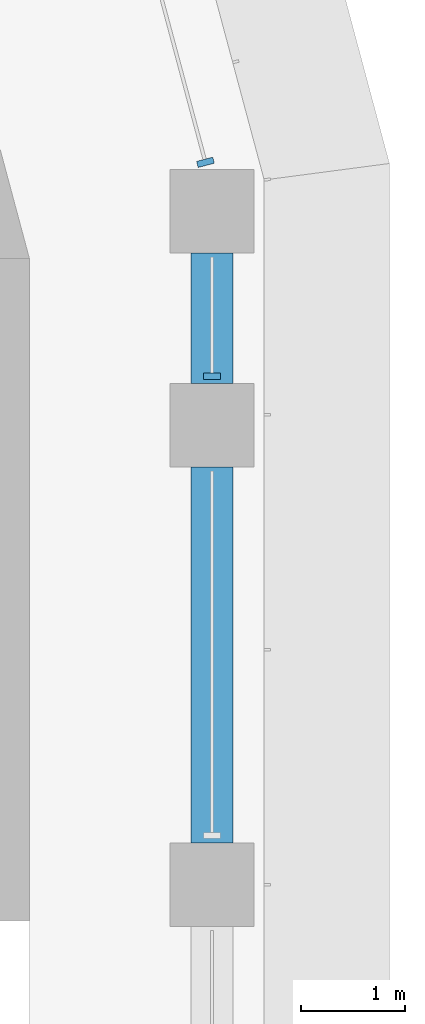
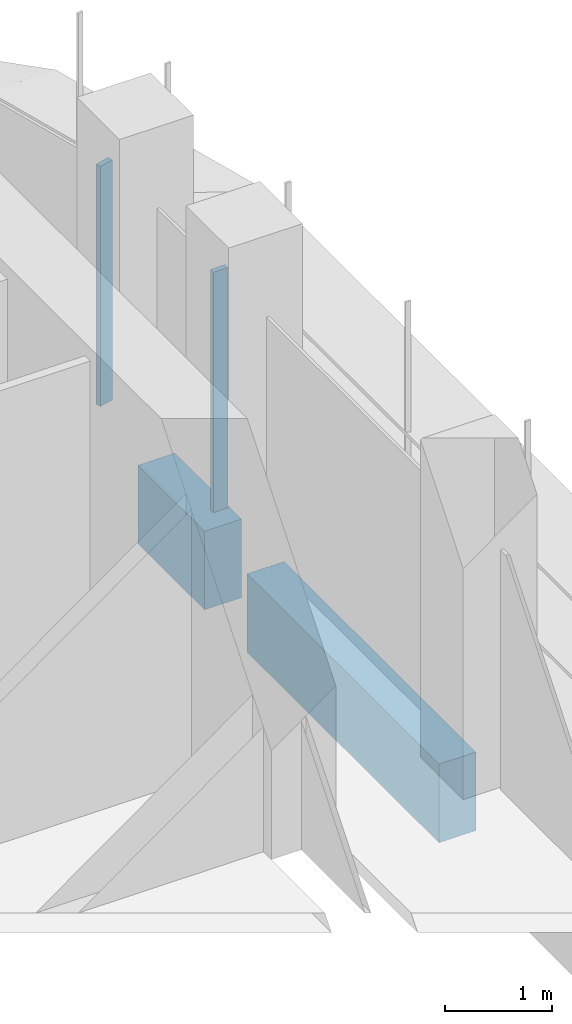
# One storey, part 9 of 20: 2 beams, 2 members, 2 elements without a shape of their own.
"""IFC4 building model written with IfcOpenShell, lengths in metres."""

from ifc_helpers import new_model, si_unit, direction, frame, origin, origin_2d, place, context, subcontext, project, spatial, polyline, rectangle, outline, extrude, source, transform, mapped, material, material_profile, profile_set, type_object, element, aggregate, save


model = new_model("IFC4")

# Units and contexts
model_context = context("Model", 3, precision=1e-05, world=origin(), true_north=direction((0.0, 1.0)))
body_context = subcontext(model_context, "Body", "Model", "MODEL_VIEW")
ifc_project = project(units=[si_unit("LENGTHUNIT", "METRE"), si_unit("AREAUNIT", "SQUARE_METRE"), si_unit("VOLUMEUNIT", "CUBIC_METRE"), si_unit("PLANEANGLEUNIT", "RADIAN"), si_unit("MASSUNIT", "GRAM", prefix="KILO")], contexts=[model_context])

# Site, building, storey
site_placement = place(None, origin())
site = spatial("IfcSite", under=ifc_project, at=site_placement, CompositionType="ELEMENT")
building_placement = place(site_placement, origin())
building = spatial("IfcBuilding", under=site, at=building_placement, Name="Zarbagh Exchange Tower", CompositionType="ELEMENT")
storey_placement = place(building_placement, frame((0.0, 0.0, 156.199951171875)))
storey = spatial("IfcBuildingStorey", under=building, at=storey_placement, Name="L37", CompositionType="ELEMENT", Elevation=156.199951171875)

# Beams
ifc_material_1 = material(Name="Concrete C50/60", Category="concrete")
ifc_material_profile = material_profile(ifc_material_1, rectangle(XDim=0.39990234375, YDim=0.89990234375, at=origin_2d()), Name="RC spandrel beam 400 x 900 C50/60")
ifc_profile_set = profile_set([ifc_material_profile], Name="Concrete C50/60")
beam_type = type_object("IfcBeamType", Name="RC spandrel beam 400 x 900 C50/60", PredefinedType="SPANDREL", material=ifc_profile_set)
beam_1_placement = place(storey_placement, frame((6.25, 26.300048828125, -0.599853515625), z_axis=(0.0, -1.0, 0.0), x_axis=(1.0, 0.0, 0.0)))
element("IfcBeam", 1, at=beam_1_placement, inside=storey, type_object=beam_type, Name="RC spandrel beam", PredefinedType="SPANDREL", context=body_context, shape_type="SweptSolid", body=[
    extrude(rectangle(XDim=0.39990234375, YDim=0.89990234375, at=origin_2d()), origin(), (0.0, 0.0, 1.0), 1.25),
])
beam_2_placement = place(storey_placement, frame((6.25, 24.25, -0.599853515625), z_axis=(0.0, -1.0, 0.0), x_axis=(1.0, 0.0, 0.0)))
element("IfcBeam", 2, at=beam_2_placement, inside=storey, type_object=beam_type, Name="RC spandrel beam", PredefinedType="SPANDREL", context=body_context, shape_type="SweptSolid", body=[
    extrude(rectangle(XDim=0.39990234375, YDim=0.89990234375, at=origin_2d()), origin(), (0.0, 0.0, 1.0), 3.60009765625),
])

# Curtain wall, member
ifc_material_2 = material(Name="Anodised aluminium frame and glazing", Category="aluminium")
curtain_wall_type = type_object("IfcCurtainWallType", Name="CWB Ribbon glazing, upper zones", PredefinedType="NOTDEFINED", material=ifc_material_2)
curtain_wall_1_placement = place(storey_placement, origin())
curtain_wall_1 = element("IfcCurtainWall", 3, at=curtain_wall_1_placement, inside=storey, type_object=curtain_wall_type, Name="CWB20 curtain wall", PredefinedType="NOTDEFINED")
ifc_material_3 = material(Name="Anodised aluminium frame", Category="aluminium")
member_type = type_object("IfcMemberType", Name="MUB Mullion, anodised aluminium frame", PredefinedType="MULLION", material=ifc_material_3)
shared_shape = source(origin(), body_context, "Body", "SweptSolid", [
    extrude(outline(polyline([(0.0, -0.080078125), (0.06005859375, -0.080078125), (0.06005859375, 0.080078125), (0.0, 0.080078125), (0.0, -0.080078125)])), origin(), (0.0, 0.0, 1.0), 2.75),
])
placement = place(storey_placement, origin())
member_1 = element("IfcMember", 4, at=placement, type_object=member_type, Name="CWB20 mullion 4.1", PredefinedType="MULLION", context=body_context, shape_type="MappedRepresentation", body=[
    mapped(shared_shape, transform((6.25, 25.090087890625, 0.0), x_axis=(0.0, 1.0, 0.0), y_axis=(-1.0, 0.0, 0.0), z_axis=(0.0, 0.0, 1.0))),
])
aggregate(curtain_wall_1, [member_1])

curtain_wall_2_placement = place(storey_placement, origin())
curtain_wall_2 = element("IfcCurtainWall", 5, at=curtain_wall_2_placement, inside=storey, type_object=curtain_wall_type, Name="CWB21 curtain wall", PredefinedType="NOTDEFINED")
member_2 = element("IfcMember", 6, at=placement, type_object=member_type, Name="CWB21 mullion 1.1", PredefinedType="MULLION", context=body_context, shape_type="MappedRepresentation", body=[
    mapped(shared_shape, transform((6.19482421875, 27.139892578125, 0.0), x_axis=(-0.258824779902, 0.965924289636, 0.0), y_axis=(-0.965924289636, -0.258824779902, 0.0), z_axis=(0.0, 0.0, 1.0))),
])
aggregate(curtain_wall_2, [member_2])

save(model, "model.ifc")
